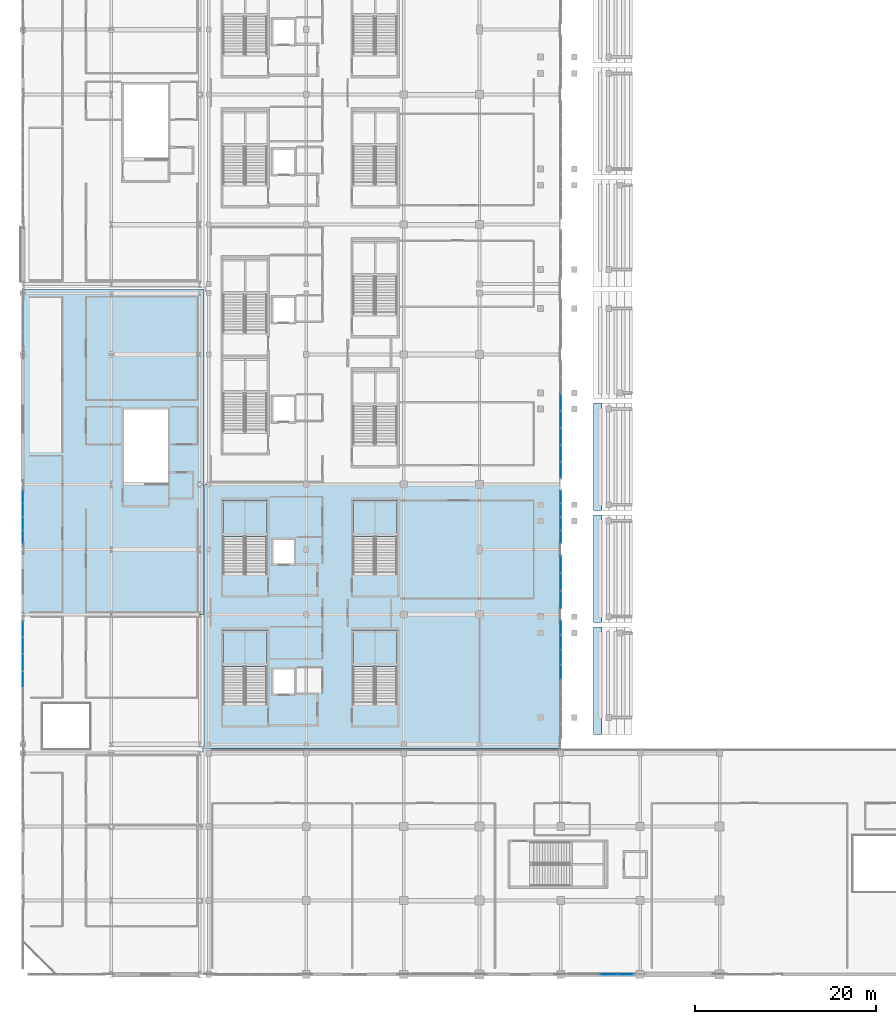
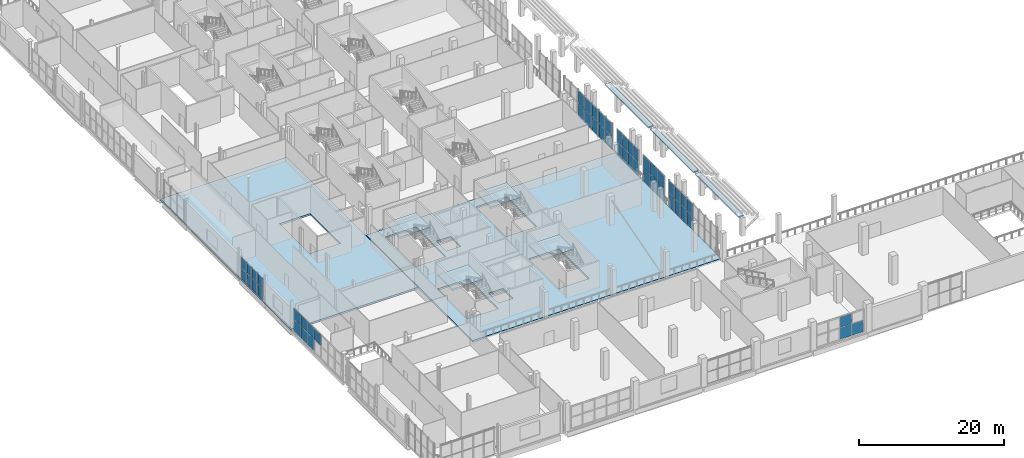
# One storey, part 74 of 142: 50 plates, 9 slabs, 11 elements without a shape of their own.
"""IFC4 building model written with IfcOpenShell, lengths in metres."""

from ifc_helpers import new_model, si_unit, direction, frame, origin, origin_2d, place, context, subcontext, project, spatial, polyline, rectangle, outline, extrude, material, layer, layer_set, type_object, element, aggregate, save


model = new_model("IFC4")

# Units and contexts
model_context = context("Model", 3, precision=1e-05, world=origin(), true_north=direction((0.0, 1.0)))
body_context = subcontext(model_context, "Body", "Model", "MODEL_VIEW")
ifc_project = project(units=[si_unit("LENGTHUNIT", "METRE"), si_unit("AREAUNIT", "SQUARE_METRE"), si_unit("VOLUMEUNIT", "CUBIC_METRE"), si_unit("PLANEANGLEUNIT", "RADIAN"), si_unit("MASSUNIT", "GRAM", prefix="KILO")], contexts=[model_context])

# Site, building, storey
site_placement = place(None, origin())
site = spatial("IfcSite", under=ifc_project, at=site_placement, CompositionType="ELEMENT")
building_placement = place(site_placement, origin())
building = spatial("IfcBuilding", under=site, at=building_placement, Name="Koshinbarg Plaza Stadium", CompositionType="ELEMENT")
storey_placement = place(building_placement, frame((0.0, 0.0, 10.199951171875)))
storey = spatial("IfcBuildingStorey", under=building, at=storey_placement, Name="L02", CompositionType="ELEMENT", Elevation=10.199951171875)

# Curtain wall, plates
ifc_material_1 = material(Name="Thermally broken anodised aluminium and low-E double glazing", Category="aluminium")
curtain_wall_type_1 = type_object("IfcCurtainWallType", Name="CW-SYS-09", PredefinedType="NOTDEFINED", material=ifc_material_1)
curtain_wall_1_placement = place(storey_placement, origin())
curtain_wall_1 = element("IfcCurtainWall", 1, at=curtain_wall_1_placement, inside=storey, type_object=curtain_wall_type_1, Name="L02 unitised curtain wall CW-L02-040", PredefinedType="NOTDEFINED")
ifc_material_2 = material(Name="Solar-control low-E double glazing unit", Category="glass")
ifc_layer_1 = layer(ifc_material_2, 0.028076171875)
ifc_layer_set_1 = layer_set([ifc_layer_1], Name="Solar-control low-E double glazing unit")
plate_type_1 = type_object("IfcPlateType", Name="CW-PNL-28", PredefinedType="CURTAIN_PANEL", material=ifc_layer_set_1)
plate_1_placement = place(storey_placement, frame((4.0, 48.47998046875, 0.06005859375), z_axis=(0.0, 0.0, 1.0), x_axis=(0.0, 1.0, 0.0)))
plate_1 = element("IfcPlate", 2, at=plate_1_placement, type_object=plate_type_1, Name="CW09 panel 1.1", PredefinedType="CURTAIN_PANEL", context=body_context, shape_type="SweptSolid", body=[
    extrude(rectangle(XDim=1.39990234375, YDim=0.028076171875, at=origin_2d()), origin(), (0.0, 0.0, 1.0), 1.844482421875),
])
plate_2_placement = place(storey_placement, frame((4.0, 48.47998046875, 1.96435546875), z_axis=(0.0, 0.0, 1.0), x_axis=(0.0, 1.0, 0.0)))
plate_2 = element("IfcPlate", 3, at=plate_2_placement, type_object=plate_type_1, Name="CW09 panel 1.2", PredefinedType="CURTAIN_PANEL", context=body_context, shape_type="SweptSolid", body=[
    extrude(rectangle(XDim=1.39990234375, YDim=0.028076171875, at=origin_2d()), origin(), (0.0, 0.0, 1.0), 1.695556640625),
])
plate_3_placement = place(storey_placement, frame((4.0, 49.955078125, 0.06005859375), z_axis=(0.0, 0.0, 1.0), x_axis=(0.0, 1.0, 0.0)))
plate_3 = element("IfcPlate", 4, at=plate_3_placement, type_object=plate_type_1, Name="CW09 panel 2.1", PredefinedType="CURTAIN_PANEL", context=body_context, shape_type="SweptSolid", body=[
    extrude(rectangle(XDim=1.429931640625, YDim=0.028076171875, at=origin_2d()), origin(), (0.0, 0.0, 1.0), 1.844482421875),
])
plate_4_placement = place(storey_placement, frame((4.0, 49.955078125, 1.96435546875), z_axis=(0.0, 0.0, 1.0), x_axis=(0.0, 1.0, 0.0)))
plate_4 = element("IfcPlate", 5, at=plate_4_placement, type_object=plate_type_1, Name="CW09 panel 2.2", PredefinedType="CURTAIN_PANEL", context=body_context, shape_type="SweptSolid", body=[
    extrude(rectangle(XDim=1.429931640625, YDim=0.028076171875, at=origin_2d()), origin(), (0.0, 0.0, 1.0), 1.695556640625),
])
plate_5_placement = place(storey_placement, frame((4.0, 51.445068359375, 0.06005859375), z_axis=(0.0, 0.0, 1.0), x_axis=(0.0, 1.0, 0.0)))
plate_5 = element("IfcPlate", 6, at=plate_5_placement, type_object=plate_type_1, Name="CW09 panel 3.1", PredefinedType="CURTAIN_PANEL", context=body_context, shape_type="SweptSolid", body=[
    extrude(rectangle(XDim=1.429931640625, YDim=0.028076171875, at=origin_2d()), origin(), (0.0, 0.0, 1.0), 1.844482421875),
])
plate_6_placement = place(storey_placement, frame((4.0, 51.445068359375, 1.96435546875), z_axis=(0.0, 0.0, 1.0), x_axis=(0.0, 1.0, 0.0)))
plate_6 = element("IfcPlate", 7, at=plate_6_placement, type_object=plate_type_1, Name="CW09 panel 3.2", PredefinedType="CURTAIN_PANEL", context=body_context, shape_type="SweptSolid", body=[
    extrude(rectangle(XDim=1.429931640625, YDim=0.028076171875, at=origin_2d()), origin(), (0.0, 0.0, 1.0), 1.695556640625),
])
plate_7_placement = place(storey_placement, frame((4.0, 52.919921875, 0.06005859375), z_axis=(0.0, 0.0, 1.0), x_axis=(0.0, 1.0, 0.0)))
plate_7 = element("IfcPlate", 8, at=plate_7_placement, type_object=plate_type_1, Name="CW09 panel 4.1", PredefinedType="CURTAIN_PANEL", context=body_context, shape_type="SweptSolid", body=[
    extrude(rectangle(XDim=1.39990234375, YDim=0.028076171875, at=origin_2d()), origin(), (0.0, 0.0, 1.0), 1.844482421875),
])
plate_8_placement = place(storey_placement, frame((4.0, 52.919921875, 1.96435546875), z_axis=(0.0, 0.0, 1.0), x_axis=(0.0, 1.0, 0.0)))
plate_8 = element("IfcPlate", 9, at=plate_8_placement, type_object=plate_type_1, Name="CW09 panel 4.2", PredefinedType="CURTAIN_PANEL", context=body_context, shape_type="SweptSolid", body=[
    extrude(rectangle(XDim=1.39990234375, YDim=0.028076171875, at=origin_2d()), origin(), (0.0, 0.0, 1.0), 1.695556640625),
])
aggregate(curtain_wall_1, [plate_1, plate_2, plate_3, plate_4, plate_5, plate_6, plate_7, plate_8])

curtain_wall_type_2 = type_object("IfcCurtainWallType", Name="CW-SYS-15", PredefinedType="NOTDEFINED", material=ifc_material_1)
curtain_wall_2_placement = place(storey_placement, origin())
curtain_wall_2 = element("IfcCurtainWall", 10, at=curtain_wall_2_placement, inside=storey, type_object=curtain_wall_type_2, Name="L02 unitised curtain wall CW-L02-078", PredefinedType="NOTDEFINED")
plate_9_placement = place(storey_placement, frame((63.60009765625, 52.919921875, 0.06005859375), z_axis=(0.0, 0.0, 1.0), x_axis=(0.0, -1.0, 0.0)))
plate_9 = element("IfcPlate", 11, at=plate_9_placement, type_object=plate_type_1, Name="CW15 panel 1.1", PredefinedType="CURTAIN_PANEL", context=body_context, shape_type="SweptSolid", body=[
    extrude(rectangle(XDim=1.39990234375, YDim=0.028076171875, at=origin_2d()), origin(), (0.0, 0.0, 1.0), 2.239501953125),
])
plate_10_placement = place(storey_placement, frame((63.60009765625, 52.919921875, 2.35986328125), z_axis=(0.0, 0.0, 1.0), x_axis=(0.0, -1.0, 0.0)))
plate_10 = element("IfcPlate", 12, at=plate_10_placement, type_object=plate_type_1, Name="CW15 panel 1.2", PredefinedType="CURTAIN_PANEL", context=body_context, shape_type="SweptSolid", body=[
    extrude(rectangle(XDim=1.39990234375, YDim=0.028076171875, at=origin_2d()), origin(), (0.0, 0.0, 1.0), 2.060302734375),
])
plate_11_placement = place(storey_placement, frame((63.60009765625, 51.445068359375, 0.06005859375), z_axis=(0.0, 0.0, 1.0), x_axis=(0.0, -1.0, 0.0)))
plate_11 = element("IfcPlate", 13, at=plate_11_placement, type_object=plate_type_1, Name="CW15 panel 2.1", PredefinedType="CURTAIN_PANEL", context=body_context, shape_type="SweptSolid", body=[
    extrude(rectangle(XDim=1.429931640625, YDim=0.028076171875, at=origin_2d()), origin(), (0.0, 0.0, 1.0), 2.239501953125),
])
plate_12_placement = place(storey_placement, frame((63.60009765625, 51.445068359375, 2.35986328125), z_axis=(0.0, 0.0, 1.0), x_axis=(0.0, -1.0, 0.0)))
plate_12 = element("IfcPlate", 14, at=plate_12_placement, type_object=plate_type_1, Name="CW15 panel 2.2", PredefinedType="CURTAIN_PANEL", context=body_context, shape_type="SweptSolid", body=[
    extrude(rectangle(XDim=1.429931640625, YDim=0.028076171875, at=origin_2d()), origin(), (0.0, 0.0, 1.0), 2.060302734375),
])
plate_13_placement = place(storey_placement, frame((63.60009765625, 49.955078125, 0.06005859375), z_axis=(0.0, 0.0, 1.0), x_axis=(0.0, -1.0, 0.0)))
plate_13 = element("IfcPlate", 15, at=plate_13_placement, type_object=plate_type_1, Name="CW15 panel 3.1", PredefinedType="CURTAIN_PANEL", context=body_context, shape_type="SweptSolid", body=[
    extrude(rectangle(XDim=1.429931640625, YDim=0.028076171875, at=origin_2d()), origin(), (0.0, 0.0, 1.0), 2.239501953125),
])
plate_14_placement = place(storey_placement, frame((63.60009765625, 49.955078125, 2.35986328125), z_axis=(0.0, 0.0, 1.0), x_axis=(0.0, -1.0, 0.0)))
plate_14 = element("IfcPlate", 16, at=plate_14_placement, type_object=plate_type_1, Name="CW15 panel 3.2", PredefinedType="CURTAIN_PANEL", context=body_context, shape_type="SweptSolid", body=[
    extrude(rectangle(XDim=1.429931640625, YDim=0.028076171875, at=origin_2d()), origin(), (0.0, 0.0, 1.0), 2.060302734375),
])
plate_15_placement = place(storey_placement, frame((63.60009765625, 48.47998046875, 0.06005859375), z_axis=(0.0, 0.0, 1.0), x_axis=(0.0, -1.0, 0.0)))
plate_15 = element("IfcPlate", 17, at=plate_15_placement, type_object=plate_type_1, Name="CW15 panel 4.1", PredefinedType="CURTAIN_PANEL", context=body_context, shape_type="SweptSolid", body=[
    extrude(rectangle(XDim=1.39990234375, YDim=0.028076171875, at=origin_2d()), origin(), (0.0, 0.0, 1.0), 2.239501953125),
])
plate_16_placement = place(storey_placement, frame((63.60009765625, 48.47998046875, 2.35986328125), z_axis=(0.0, 0.0, 1.0), x_axis=(0.0, -1.0, 0.0)))
plate_16 = element("IfcPlate", 18, at=plate_16_placement, type_object=plate_type_1, Name="CW15 panel 4.2", PredefinedType="CURTAIN_PANEL", context=body_context, shape_type="SweptSolid", body=[
    extrude(rectangle(XDim=1.39990234375, YDim=0.028076171875, at=origin_2d()), origin(), (0.0, 0.0, 1.0), 2.060302734375),
])
aggregate(curtain_wall_2, [plate_9, plate_10, plate_11, plate_12, plate_13, plate_14, plate_15, plate_16])

curtain_wall_type_3 = type_object("IfcCurtainWallType", Name="CW-SYS-01", PredefinedType="NOTDEFINED", material=ifc_material_1)
curtain_wall_3_placement = place(storey_placement, origin())
curtain_wall_3 = element("IfcCurtainWall", 19, at=curtain_wall_3_placement, inside=storey, type_object=curtain_wall_type_3, Name="L02 unitised curtain wall CW-L02-080", PredefinedType="NOTDEFINED")
plate_17_placement = place(storey_placement, frame((63.60009765625, 38.4423828125, 0.06005859375), z_axis=(0.0, 0.0, 1.0), x_axis=(0.0, -1.0, 0.0)))
plate_17 = element("IfcPlate", 20, at=plate_17_placement, type_object=plate_type_1, Name="CW01 panel 1.1", PredefinedType="CURTAIN_PANEL", context=body_context, shape_type="SweptSolid", body=[
    extrude(rectangle(XDim=1.554931640625, YDim=0.028076171875, at=origin_2d()), origin(), (0.0, 0.0, 1.0), 2.239501953125),
])
plate_18_placement = place(storey_placement, frame((63.60009765625, 38.4423828125, 2.35986328125), z_axis=(0.0, 0.0, 1.0), x_axis=(0.0, -1.0, 0.0)))
plate_18 = element("IfcPlate", 21, at=plate_18_placement, type_object=plate_type_1, Name="CW01 panel 1.2", PredefinedType="CURTAIN_PANEL", context=body_context, shape_type="SweptSolid", body=[
    extrude(rectangle(XDim=1.554931640625, YDim=0.028076171875, at=origin_2d()), origin(), (0.0, 0.0, 1.0), 2.060302734375),
])
plate_19_placement = place(storey_placement, frame((63.60009765625, 36.8125, 0.06005859375), z_axis=(0.0, 0.0, 1.0), x_axis=(0.0, -1.0, 0.0)))
plate_19 = element("IfcPlate", 22, at=plate_19_placement, type_object=plate_type_1, Name="CW01 panel 2.1", PredefinedType="CURTAIN_PANEL", context=body_context, shape_type="SweptSolid", body=[
    extrude(rectangle(XDim=1.5849609375, YDim=0.028076171875, at=origin_2d()), origin(), (0.0, 0.0, 1.0), 2.239501953125),
])
plate_20_placement = place(storey_placement, frame((63.60009765625, 36.8125, 2.35986328125), z_axis=(0.0, 0.0, 1.0), x_axis=(0.0, -1.0, 0.0)))
plate_20 = element("IfcPlate", 23, at=plate_20_placement, type_object=plate_type_1, Name="CW01 panel 2.2", PredefinedType="CURTAIN_PANEL", context=body_context, shape_type="SweptSolid", body=[
    extrude(rectangle(XDim=1.5849609375, YDim=0.028076171875, at=origin_2d()), origin(), (0.0, 0.0, 1.0), 2.060302734375),
])
plate_21_placement = place(storey_placement, frame((63.60009765625, 35.16748046875, 0.06005859375), z_axis=(0.0, 0.0, 1.0), x_axis=(0.0, -1.0, 0.0)))
plate_21 = element("IfcPlate", 24, at=plate_21_placement, type_object=plate_type_1, Name="CW01 panel 3.1", PredefinedType="CURTAIN_PANEL", context=body_context, shape_type="SweptSolid", body=[
    extrude(rectangle(XDim=1.5849609375, YDim=0.028076171875, at=origin_2d()), origin(), (0.0, 0.0, 1.0), 2.239501953125),
])
plate_22_placement = place(storey_placement, frame((63.60009765625, 35.16748046875, 2.35986328125), z_axis=(0.0, 0.0, 1.0), x_axis=(0.0, -1.0, 0.0)))
plate_22 = element("IfcPlate", 25, at=plate_22_placement, type_object=plate_type_1, Name="CW01 panel 3.2", PredefinedType="CURTAIN_PANEL", context=body_context, shape_type="SweptSolid", body=[
    extrude(rectangle(XDim=1.5849609375, YDim=0.028076171875, at=origin_2d()), origin(), (0.0, 0.0, 1.0), 2.060302734375),
])
plate_23_placement = place(storey_placement, frame((63.60009765625, 33.5224609375, 0.06005859375), z_axis=(0.0, 0.0, 1.0), x_axis=(0.0, -1.0, 0.0)))
plate_23 = element("IfcPlate", 26, at=plate_23_placement, type_object=plate_type_1, Name="CW01 panel 4.1", PredefinedType="CURTAIN_PANEL", context=body_context, shape_type="SweptSolid", body=[
    extrude(rectangle(XDim=1.5849609375, YDim=0.028076171875, at=origin_2d()), origin(), (0.0, 0.0, 1.0), 2.239501953125),
])
plate_24_placement = place(storey_placement, frame((63.60009765625, 33.5224609375, 2.35986328125), z_axis=(0.0, 0.0, 1.0), x_axis=(0.0, -1.0, 0.0)))
plate_24 = element("IfcPlate", 27, at=plate_24_placement, type_object=plate_type_1, Name="CW01 panel 4.2", PredefinedType="CURTAIN_PANEL", context=body_context, shape_type="SweptSolid", body=[
    extrude(rectangle(XDim=1.5849609375, YDim=0.028076171875, at=origin_2d()), origin(), (0.0, 0.0, 1.0), 2.060302734375),
])
aggregate(curtain_wall_3, [plate_17, plate_18, plate_19, plate_20, plate_21, plate_22, plate_23, plate_24])

curtain_wall_type_4 = type_object("IfcCurtainWallType", Name="CW-SYS-08", PredefinedType="NOTDEFINED", material=ifc_material_1)
curtain_wall_4_placement = place(storey_placement, origin())
curtain_wall_4 = element("IfcCurtainWall", 28, at=curtain_wall_4_placement, inside=storey, type_object=curtain_wall_type_4, Name="L02 unitised curtain wall CW-L02-039", PredefinedType="NOTDEFINED")
ifc_material_3 = material(Name="Acoustic solar-control double glazing unit", Category="glass")
ifc_layer_2 = layer(ifc_material_3, 0.031982421875)
ifc_layer_set_2 = layer_set([ifc_layer_2], Name="Acoustic solar-control double glazing unit")
plate_type_2 = type_object("IfcPlateType", Name="CW-PNL-32", PredefinedType="CURTAIN_PANEL", material=ifc_layer_set_2)
plate_25_placement = place(storey_placement, frame((4.0, 32.699951171875, 2.09423828125), z_axis=(0.0, 0.0, 1.0), x_axis=(0.0, 1.0, 0.0)))
plate_25 = element("IfcPlate", 29, at=plate_25_placement, type_object=plate_type_2, Name="CW08 panel 4.2", PredefinedType="CURTAIN_PANEL", context=body_context, shape_type="SweptSolid", body=[
    extrude(rectangle(XDim=1.820068359375, YDim=0.031982421875, at=origin_2d()), origin(), (0.0, 0.0, 1.0), 1.815673828125),
])
plate_26_placement = place(storey_placement, frame((4.0, 34.580078125, 0.06005859375), z_axis=(0.0, 0.0, 1.0), x_axis=(0.0, 1.0, 0.0)))
plate_26 = element("IfcPlate", 30, at=plate_26_placement, type_object=plate_type_2, Name="CW08 panel 5.1", PredefinedType="CURTAIN_PANEL", context=body_context, shape_type="SweptSolid", body=[
    extrude(rectangle(XDim=1.820068359375, YDim=0.031982421875, at=origin_2d()), origin(), (0.0, 0.0, 1.0), 1.974365234375),
])
plate_27_placement = place(storey_placement, frame((4.0, 34.580078125, 2.09423828125), z_axis=(0.0, 0.0, 1.0), x_axis=(0.0, 1.0, 0.0)))
plate_27 = element("IfcPlate", 31, at=plate_27_placement, type_object=plate_type_2, Name="CW08 panel 5.2", PredefinedType="CURTAIN_PANEL", context=body_context, shape_type="SweptSolid", body=[
    extrude(rectangle(XDim=1.820068359375, YDim=0.031982421875, at=origin_2d()), origin(), (0.0, 0.0, 1.0), 1.815673828125),
])
plate_28_placement = place(storey_placement, frame((4.0, 36.4599609375, 0.06005859375), z_axis=(0.0, 0.0, 1.0), x_axis=(0.0, 1.0, 0.0)))
plate_28 = element("IfcPlate", 32, at=plate_28_placement, type_object=plate_type_2, Name="CW08 panel 6.1", PredefinedType="CURTAIN_PANEL", context=body_context, shape_type="SweptSolid", body=[
    extrude(rectangle(XDim=1.820068359375, YDim=0.031982421875, at=origin_2d()), origin(), (0.0, 0.0, 1.0), 1.974365234375),
])
plate_29_placement = place(storey_placement, frame((4.0, 36.4599609375, 2.09423828125), z_axis=(0.0, 0.0, 1.0), x_axis=(0.0, 1.0, 0.0)))
plate_29 = element("IfcPlate", 33, at=plate_29_placement, type_object=plate_type_2, Name="CW08 panel 6.2", PredefinedType="CURTAIN_PANEL", context=body_context, shape_type="SweptSolid", body=[
    extrude(rectangle(XDim=1.820068359375, YDim=0.031982421875, at=origin_2d()), origin(), (0.0, 0.0, 1.0), 1.815673828125),
])
plate_30_placement = place(storey_placement, frame((4.0, 38.324951171875, 0.06005859375), z_axis=(0.0, 0.0, 1.0), x_axis=(0.0, 1.0, 0.0)))
plate_30 = element("IfcPlate", 34, at=plate_30_placement, type_object=plate_type_2, Name="CW08 panel 7.1", PredefinedType="CURTAIN_PANEL", context=body_context, shape_type="SweptSolid", body=[
    extrude(rectangle(XDim=1.7900390625, YDim=0.031982421875, at=origin_2d()), origin(), (0.0, 0.0, 1.0), 1.974365234375),
])
plate_31_placement = place(storey_placement, frame((4.0, 38.324951171875, 2.09423828125), z_axis=(0.0, 0.0, 1.0), x_axis=(0.0, 1.0, 0.0)))
plate_31 = element("IfcPlate", 35, at=plate_31_placement, type_object=plate_type_2, Name="CW08 panel 7.2", PredefinedType="CURTAIN_PANEL", context=body_context, shape_type="SweptSolid", body=[
    extrude(rectangle(XDim=1.7900390625, YDim=0.031982421875, at=origin_2d()), origin(), (0.0, 0.0, 1.0), 1.815673828125),
])
aggregate(curtain_wall_4, [plate_25, plate_26, plate_27, plate_28, plate_29, plate_30, plate_31])

curtain_wall_type_5 = type_object("IfcCurtainWallType", Name="CW-SYS-04", PredefinedType="NOTDEFINED", material=ifc_material_1)
curtain_wall_5_placement = place(storey_placement, origin())
curtain_wall_5 = element("IfcCurtainWall", 36, at=curtain_wall_5_placement, inside=storey, type_object=curtain_wall_type_5, Name="L02 unitised curtain wall CW-L02-067", PredefinedType="NOTDEFINED")
plate_32_placement = place(storey_placement, frame((70.820068359375, 0.0, 0.06005859375), z_axis=(0.0, 0.0, 1.0), x_axis=(-1.0, 0.0, 0.0)))
plate_32 = element("IfcPlate", 37, at=plate_32_placement, type_object=plate_type_2, Name="CW04 panel 1.1", PredefinedType="CURTAIN_PANEL", context=body_context, shape_type="SweptSolid", body=[
    extrude(rectangle(XDim=1.800048828125, YDim=0.031982421875, at=origin_2d()), origin(), (0.0, 0.0, 1.0), 1.917236328125),
])
plate_33_placement = place(storey_placement, frame((68.945068359375, 0.0, 0.06005859375), z_axis=(0.0, 0.0, 1.0), x_axis=(-1.0, 0.0, 0.0)))
plate_33 = element("IfcPlate", 38, at=plate_33_placement, type_object=plate_type_2, Name="CW04 panel 2.1", PredefinedType="CURTAIN_PANEL", context=body_context, shape_type="SweptSolid", body=[
    extrude(rectangle(XDim=1.830078125, YDim=0.031982421875, at=origin_2d()), origin(), (0.0, 0.0, 1.0), 1.917236328125),
])
plate_34_placement = place(storey_placement, frame((68.945068359375, 0.0, 2.037353515625), z_axis=(0.0, 0.0, 1.0), x_axis=(-1.0, 0.0, 0.0)))
plate_34 = element("IfcPlate", 39, at=plate_34_placement, type_object=plate_type_2, Name="CW04 panel 2.2", PredefinedType="CURTAIN_PANEL", context=body_context, shape_type="SweptSolid", body=[
    extrude(rectangle(XDim=1.830078125, YDim=0.031982421875, at=origin_2d()), origin(), (0.0, 0.0, 1.0), 1.7626953125),
])
aggregate(curtain_wall_5, [plate_32, plate_33, plate_34])

curtain_wall_type_6 = type_object("IfcCurtainWallType", Name="CW-SYS-14", PredefinedType="NOTDEFINED", material=ifc_material_1)
curtain_wall_6_placement = place(storey_placement, origin())
curtain_wall_6 = element("IfcCurtainWall", 40, at=curtain_wall_6_placement, inside=storey, type_object=curtain_wall_type_6, Name="L02 unitised curtain wall CW-L02-077", PredefinedType="NOTDEFINED")
plate_35_placement = place(storey_placement, frame((63.60009765625, 63.3798828125, 0.06005859375), z_axis=(0.0, 0.0, 1.0), x_axis=(0.0, -1.0, 0.0)))
plate_35 = element("IfcPlate", 41, at=plate_35_placement, type_object=plate_type_2, Name="CW14 panel 3.1", PredefinedType="CURTAIN_PANEL", context=body_context, shape_type="SweptSolid", body=[
    extrude(rectangle(XDim=1.820068359375, YDim=0.031982421875, at=origin_2d()), origin(), (0.0, 0.0, 1.0), 2.239501953125),
])
plate_36_placement = place(storey_placement, frame((63.60009765625, 63.3798828125, 2.35986328125), z_axis=(0.0, 0.0, 1.0), x_axis=(0.0, -1.0, 0.0)))
plate_36 = element("IfcPlate", 42, at=plate_36_placement, type_object=plate_type_2, Name="CW14 panel 3.2", PredefinedType="CURTAIN_PANEL", context=body_context, shape_type="SweptSolid", body=[
    extrude(rectangle(XDim=1.820068359375, YDim=0.031982421875, at=origin_2d()), origin(), (0.0, 0.0, 1.0), 2.060302734375),
])
plate_37_placement = place(storey_placement, frame((63.60009765625, 61.5, 0.06005859375), z_axis=(0.0, 0.0, 1.0), x_axis=(0.0, -1.0, 0.0)))
plate_37 = element("IfcPlate", 43, at=plate_37_placement, type_object=plate_type_2, Name="CW14 panel 4.1", PredefinedType="CURTAIN_PANEL", context=body_context, shape_type="SweptSolid", body=[
    extrude(rectangle(XDim=1.820068359375, YDim=0.031982421875, at=origin_2d()), origin(), (0.0, 0.0, 1.0), 2.239501953125),
])
plate_38_placement = place(storey_placement, frame((63.60009765625, 61.5, 2.35986328125), z_axis=(0.0, 0.0, 1.0), x_axis=(0.0, -1.0, 0.0)))
plate_38 = element("IfcPlate", 44, at=plate_38_placement, type_object=plate_type_2, Name="CW14 panel 4.2", PredefinedType="CURTAIN_PANEL", context=body_context, shape_type="SweptSolid", body=[
    extrude(rectangle(XDim=1.820068359375, YDim=0.031982421875, at=origin_2d()), origin(), (0.0, 0.0, 1.0), 2.060302734375),
])
plate_39_placement = place(storey_placement, frame((63.60009765625, 59.6201171875, 0.06005859375), z_axis=(0.0, 0.0, 1.0), x_axis=(0.0, -1.0, 0.0)))
plate_39 = element("IfcPlate", 45, at=plate_39_placement, type_object=plate_type_2, Name="CW14 panel 5.1", PredefinedType="CURTAIN_PANEL", context=body_context, shape_type="SweptSolid", body=[
    extrude(rectangle(XDim=1.820068359375, YDim=0.031982421875, at=origin_2d()), origin(), (0.0, 0.0, 1.0), 2.239501953125),
])
plate_40_placement = place(storey_placement, frame((63.60009765625, 59.6201171875, 2.35986328125), z_axis=(0.0, 0.0, 1.0), x_axis=(0.0, -1.0, 0.0)))
plate_40 = element("IfcPlate", 46, at=plate_40_placement, type_object=plate_type_2, Name="CW14 panel 5.2", PredefinedType="CURTAIN_PANEL", context=body_context, shape_type="SweptSolid", body=[
    extrude(rectangle(XDim=1.820068359375, YDim=0.031982421875, at=origin_2d()), origin(), (0.0, 0.0, 1.0), 2.060302734375),
])
plate_41_placement = place(storey_placement, frame((63.60009765625, 57.739990234375, 0.06005859375), z_axis=(0.0, 0.0, 1.0), x_axis=(0.0, -1.0, 0.0)))
plate_41 = element("IfcPlate", 47, at=plate_41_placement, type_object=plate_type_2, Name="CW14 panel 6.1", PredefinedType="CURTAIN_PANEL", context=body_context, shape_type="SweptSolid", body=[
    extrude(rectangle(XDim=1.820068359375, YDim=0.031982421875, at=origin_2d()), origin(), (0.0, 0.0, 1.0), 2.239501953125),
])
plate_42_placement = place(storey_placement, frame((63.60009765625, 57.739990234375, 2.35986328125), z_axis=(0.0, 0.0, 1.0), x_axis=(0.0, -1.0, 0.0)))
plate_42 = element("IfcPlate", 48, at=plate_42_placement, type_object=plate_type_2, Name="CW14 panel 6.2", PredefinedType="CURTAIN_PANEL", context=body_context, shape_type="SweptSolid", body=[
    extrude(rectangle(XDim=1.820068359375, YDim=0.031982421875, at=origin_2d()), origin(), (0.0, 0.0, 1.0), 2.060302734375),
])
plate_43_placement = place(storey_placement, frame((63.60009765625, 55.875, 0.06005859375), z_axis=(0.0, 0.0, 1.0), x_axis=(0.0, -1.0, 0.0)))
plate_43 = element("IfcPlate", 49, at=plate_43_placement, type_object=plate_type_2, Name="CW14 panel 7.1", PredefinedType="CURTAIN_PANEL", context=body_context, shape_type="SweptSolid", body=[
    extrude(rectangle(XDim=1.7900390625, YDim=0.031982421875, at=origin_2d()), origin(), (0.0, 0.0, 1.0), 2.239501953125),
])
plate_44_placement = place(storey_placement, frame((63.60009765625, 55.875, 2.35986328125), z_axis=(0.0, 0.0, 1.0), x_axis=(0.0, -1.0, 0.0)))
plate_44 = element("IfcPlate", 50, at=plate_44_placement, type_object=plate_type_2, Name="CW14 panel 7.2", PredefinedType="CURTAIN_PANEL", context=body_context, shape_type="SweptSolid", body=[
    extrude(rectangle(XDim=1.7900390625, YDim=0.031982421875, at=origin_2d()), origin(), (0.0, 0.0, 1.0), 2.060302734375),
])
aggregate(curtain_wall_6, [plate_35, plate_36, plate_37, plate_38, plate_39, plate_40, plate_41, plate_42, plate_43, plate_44])

curtain_wall_type_7 = type_object("IfcCurtainWallType", Name="CW-SYS-16", PredefinedType="NOTDEFINED", material=ifc_material_1)
curtain_wall_7_placement = place(storey_placement, origin())
curtain_wall_7 = element("IfcCurtainWall", 51, at=curtain_wall_7_placement, inside=storey, type_object=curtain_wall_type_7, Name="L02 unitised curtain wall CW-L02-079", PredefinedType="NOTDEFINED")
plate_45_placement = place(storey_placement, frame((63.60009765625, 45.4716796875, 0.06005859375), z_axis=(0.0, 0.0, 1.0), x_axis=(0.0, -1.0, 0.0)))
plate_45 = element("IfcPlate", 52, at=plate_45_placement, type_object=plate_type_2, Name="CW16 panel 1.1", PredefinedType="CURTAIN_PANEL", context=body_context, shape_type="SweptSolid", body=[
    extrude(rectangle(XDim=1.896728515625, YDim=0.031982421875, at=origin_2d()), origin(), (0.0, 0.0, 1.0), 2.239501953125),
])
plate_46_placement = place(storey_placement, frame((63.60009765625, 45.4716796875, 2.35986328125), z_axis=(0.0, 0.0, 1.0), x_axis=(0.0, -1.0, 0.0)))
plate_46 = element("IfcPlate", 53, at=plate_46_placement, type_object=plate_type_2, Name="CW16 panel 1.2", PredefinedType="CURTAIN_PANEL", context=body_context, shape_type="SweptSolid", body=[
    extrude(rectangle(XDim=1.896728515625, YDim=0.031982421875, at=origin_2d()), origin(), (0.0, 0.0, 1.0), 2.060302734375),
])
plate_47_placement = place(storey_placement, frame((63.60009765625, 43.5, 0.06005859375), z_axis=(0.0, 0.0, 1.0), x_axis=(0.0, -1.0, 0.0)))
plate_47 = element("IfcPlate", 54, at=plate_47_placement, type_object=plate_type_2, Name="CW16 panel 2.1", PredefinedType="CURTAIN_PANEL", context=body_context, shape_type="SweptSolid", body=[
    extrude(rectangle(XDim=1.9267578125, YDim=0.031982421875, at=origin_2d()), origin(), (0.0, 0.0, 1.0), 2.239501953125),
])
plate_48_placement = place(storey_placement, frame((63.60009765625, 43.5, 2.35986328125), z_axis=(0.0, 0.0, 1.0), x_axis=(0.0, -1.0, 0.0)))
plate_48 = element("IfcPlate", 55, at=plate_48_placement, type_object=plate_type_2, Name="CW16 panel 2.2", PredefinedType="CURTAIN_PANEL", context=body_context, shape_type="SweptSolid", body=[
    extrude(rectangle(XDim=1.9267578125, YDim=0.031982421875, at=origin_2d()), origin(), (0.0, 0.0, 1.0), 2.060302734375),
])
plate_49_placement = place(storey_placement, frame((63.60009765625, 41.5283203125, 0.06005859375), z_axis=(0.0, 0.0, 1.0), x_axis=(0.0, -1.0, 0.0)))
plate_49 = element("IfcPlate", 56, at=plate_49_placement, type_object=plate_type_2, Name="CW16 panel 3.1", PredefinedType="CURTAIN_PANEL", context=body_context, shape_type="SweptSolid", body=[
    extrude(rectangle(XDim=1.896728515625, YDim=0.031982421875, at=origin_2d()), origin(), (0.0, 0.0, 1.0), 2.239501953125),
])
plate_50_placement = place(storey_placement, frame((63.60009765625, 41.5283203125, 2.35986328125), z_axis=(0.0, 0.0, 1.0), x_axis=(0.0, -1.0, 0.0)))
plate_50 = element("IfcPlate", 57, at=plate_50_placement, type_object=plate_type_2, Name="CW16 panel 3.2", PredefinedType="CURTAIN_PANEL", context=body_context, shape_type="SweptSolid", body=[
    extrude(rectangle(XDim=1.896728515625, YDim=0.031982421875, at=origin_2d()), origin(), (0.0, 0.0, 1.0), 2.060302734375),
])
aggregate(curtain_wall_7, [plate_45, plate_46, plate_47, plate_48, plate_49, plate_50])

# Slabs
ifc_material_4 = material(Name="Concrete C35/45", Category="concrete")
ifc_layer_3 = layer(ifc_material_4, 0.300048828125)
ifc_layer_set_3 = layer_set([ifc_layer_3], Name="Concrete C35/45")
slab_type_1 = type_object("IfcSlabType", Name="SL-FLR-300", PredefinedType="FLOOR", material=ifc_layer_set_3)
slab_1_placement = place(storey_placement, frame((0.0, 0.0, -0.300048828125)))
element("IfcSlab", 58, at=slab_1_placement, inside=storey, type_object=slab_type_1, Name="L02 V1 structural slab 1", PredefinedType="FLOOR", context=body_context, shape_type="SweptSolid", body=[
    extrude(outline(polyline([(24.14501953125, 25.044921875), (63.60009765625, 25.044921875), (63.60009765625, 54.300048828125), (24.14501953125, 54.300048828125), (24.14501953125, 25.044921875)]), holes=[polyline([(31.070068359375, 29.9599609375), (31.070068359375, 38.199951171875), (26.199951171875, 38.199951171875), (26.199951171875, 29.9599609375), (31.070068359375, 29.9599609375)]), polyline([(31.75, 31.10009765625), (34.050048828125, 31.10009765625), (34.050048828125, 33.800048828125), (31.75, 33.800048828125), (31.75, 31.10009765625)]), polyline([(31.070068359375, 44.360107421875), (31.070068359375, 52.60009765625), (26.199951171875, 52.60009765625), (26.199951171875, 44.360107421875), (31.070068359375, 44.360107421875)]), polyline([(31.75, 45.5), (34.050048828125, 45.5), (34.050048828125, 48.199951171875), (31.75, 48.199951171875), (31.75, 45.5)]), polyline([(45.469970703125, 29.9599609375), (45.469970703125, 38.199951171875), (40.60009765625, 38.199951171875), (40.60009765625, 29.9599609375), (45.469970703125, 29.9599609375)]), polyline([(45.469970703125, 44.360107421875), (45.469970703125, 52.60009765625), (40.60009765625, 52.60009765625), (40.60009765625, 44.360107421875), (45.469970703125, 44.360107421875)])]), origin(), (0.0, 0.0, 1.0), 0.300048828125),
])
slab_2_placement = place(storey_placement, frame((0.0, 0.0, -0.300048828125)))
element("IfcSlab", 59, at=slab_2_placement, inside=storey, type_object=slab_type_1, Name="L02 V6 structural slab 22", PredefinedType="FLOOR", context=body_context, shape_type="SweptSolid", body=[
    extrude(outline(polyline([(4.0, 39.89990234375), (24.054931640625, 39.89990234375), (24.054931640625, 75.955078125), (4.0, 75.955078125), (4.0, 39.89990234375)]), holes=[polyline([(20.070068359375, 54.360107421875), (20.070068359375, 62.60009765625), (15.199951171875, 62.60009765625), (15.199951171875, 54.360107421875), (20.070068359375, 54.360107421875)])]), origin(), (0.0, 0.0, 1.0), 0.300048828125),
])

# Stair, slab
stair_type_1 = type_object("IfcStairType", Name="ST-CORE-48", PredefinedType="HALF_TURN_STAIR", material=ifc_material_4)
stair_1_placement = place(storey_placement, origin())
stair_1 = element("IfcStair", 60, at=stair_1_placement, inside=storey, type_object=stair_type_1, Name="L02 Protected Exit Stair C01", PredefinedType="HALF_TURN_STAIR")
ifc_layer_4 = layer(ifc_material_4, 0.320068359375)
ifc_layer_set_4 = layer_set([ifc_layer_4], Name="Concrete C35/45")
slab_type_2 = type_object("IfcSlabType", Name="SL-STLAND-280", PredefinedType="LANDING", material=ifc_layer_set_4)
slab_3_placement = place(storey_placement, frame((0.0, 0.0, 2.080078125)))
slab_3 = element("IfcSlab", 61, at=slab_3_placement, type_object=slab_type_2, Name="L02 Protected Exit Stair C01 landing 003", PredefinedType="LANDING", context=body_context, shape_type="SweptSolid", body=[
    extrude(outline(polyline([(31.070068359375, 34.159912109375), (31.070068359375, 38.199951171875), (26.199951171875, 38.199951171875), (26.199951171875, 34.159912109375), (31.070068359375, 34.159912109375)])), origin(), (0.0, 0.0, 1.0), 0.320068359375),
])
aggregate(stair_1, [slab_3])

stair_2_placement = place(storey_placement, origin())
stair_2 = element("IfcStair", 62, at=stair_2_placement, inside=storey, type_object=stair_type_1, Name="L02 Protected Exit Stair C02", PredefinedType="HALF_TURN_STAIR")
slab_4_placement = place(storey_placement, frame((0.0, 0.0, 2.080078125)))
slab_4 = element("IfcSlab", 63, at=slab_4_placement, type_object=slab_type_2, Name="L02 Protected Exit Stair C02 landing 009", PredefinedType="LANDING", context=body_context, shape_type="SweptSolid", body=[
    extrude(outline(polyline([(31.070068359375, 48.56005859375), (31.070068359375, 52.60009765625), (26.199951171875, 52.60009765625), (26.199951171875, 48.56005859375), (31.070068359375, 48.56005859375)])), origin(), (0.0, 0.0, 1.0), 0.320068359375),
])
aggregate(stair_2, [slab_4])

stair_type_2 = type_object("IfcStairType", Name="ST-VOM-48", PredefinedType="HALF_TURN_STAIR", material=ifc_material_4)
stair_3_placement = place(storey_placement, origin())
stair_3 = element("IfcStair", 64, at=stair_3_placement, inside=storey, type_object=stair_type_2, Name="L02 Upper Vomitory Stair VX01", PredefinedType="HALF_TURN_STAIR")
slab_5_placement = place(storey_placement, frame((0.0, 0.0, 2.080078125)))
slab_5 = element("IfcSlab", 65, at=slab_5_placement, type_object=slab_type_2, Name="L02 Upper Vomitory Stair VX01 landing 077", PredefinedType="LANDING", context=body_context, shape_type="SweptSolid", body=[
    extrude(outline(polyline([(45.469970703125, 34.159912109375), (45.469970703125, 38.199951171875), (40.60009765625, 38.199951171875), (40.60009765625, 34.159912109375), (45.469970703125, 34.159912109375)])), origin(), (0.0, 0.0, 1.0), 0.320068359375),
])
aggregate(stair_3, [slab_5])

stair_4_placement = place(storey_placement, origin())
stair_4 = element("IfcStair", 66, at=stair_4_placement, inside=storey, type_object=stair_type_2, Name="L02 Upper Vomitory Stair VX02", PredefinedType="HALF_TURN_STAIR")
slab_6_placement = place(storey_placement, frame((0.0, 0.0, 2.080078125)))
slab_6 = element("IfcSlab", 67, at=slab_6_placement, type_object=slab_type_2, Name="L02 Upper Vomitory Stair VX02 landing 080", PredefinedType="LANDING", context=body_context, shape_type="SweptSolid", body=[
    extrude(outline(polyline([(45.469970703125, 48.56005859375), (45.469970703125, 52.60009765625), (40.60009765625, 52.60009765625), (40.60009765625, 48.56005859375), (45.469970703125, 48.56005859375)])), origin(), (0.0, 0.0, 1.0), 0.320068359375),
])
aggregate(stair_4, [slab_6])

# Slabs
ifc_material_5 = material(Name="Precast concrete C40/50", Category="concrete")
ifc_layer_5 = layer(ifc_material_5, 0.199951171875)
ifc_layer_set_5 = layer_set([ifc_layer_5], Name="Precast concrete C40/50")
slab_type_3 = type_object("IfcSlabType", Name="SL-TIER-UT", PredefinedType="USERDEFINED", material=ifc_layer_set_5)
slab_7_placement = place(storey_placement, frame((0.0, 0.0, 4.580078125)))
element("IfcSlab", 68, at=slab_7_placement, inside=storey, type_object=slab_type_3, Name="Stand upper seating tier UT-W01 row 5", ObjectType="SEATING TIER", PredefinedType="USERDEFINED", context=body_context, shape_type="SweptSolid", body=[
    extrude(outline(polyline([(67.25, 26.60009765625), (68.10009765625, 26.60009765625), (68.10009765625, 38.5), (67.25, 38.5), (67.25, 26.60009765625)])), origin(), (0.0, 0.0, 1.0), 0.199951171875),
])
slab_8_placement = place(storey_placement, frame((0.0, 0.0, 4.580078125)))
element("IfcSlab", 69, at=slab_8_placement, inside=storey, type_object=slab_type_3, Name="Stand upper seating tier UT-W02 row 5", ObjectType="SEATING TIER", PredefinedType="USERDEFINED", context=body_context, shape_type="SweptSolid", body=[
    extrude(outline(polyline([(67.25, 39.0), (68.10009765625, 39.0), (68.10009765625, 50.89990234375), (67.25, 50.89990234375), (67.25, 39.0)])), origin(), (0.0, 0.0, 1.0), 0.199951171875),
])
slab_9_placement = place(storey_placement, frame((0.0, 0.0, 4.580078125)))
element("IfcSlab", 70, at=slab_9_placement, inside=storey, type_object=slab_type_3, Name="Stand upper seating tier UT-W03 row 5", ObjectType="SEATING TIER", PredefinedType="USERDEFINED", context=body_context, shape_type="SweptSolid", body=[
    extrude(outline(polyline([(67.25, 51.39990234375), (68.10009765625, 51.39990234375), (68.10009765625, 63.300048828125), (67.25, 63.300048828125), (67.25, 51.39990234375)])), origin(), (0.0, 0.0, 1.0), 0.199951171875),
])

save(model, "model.ifc")
